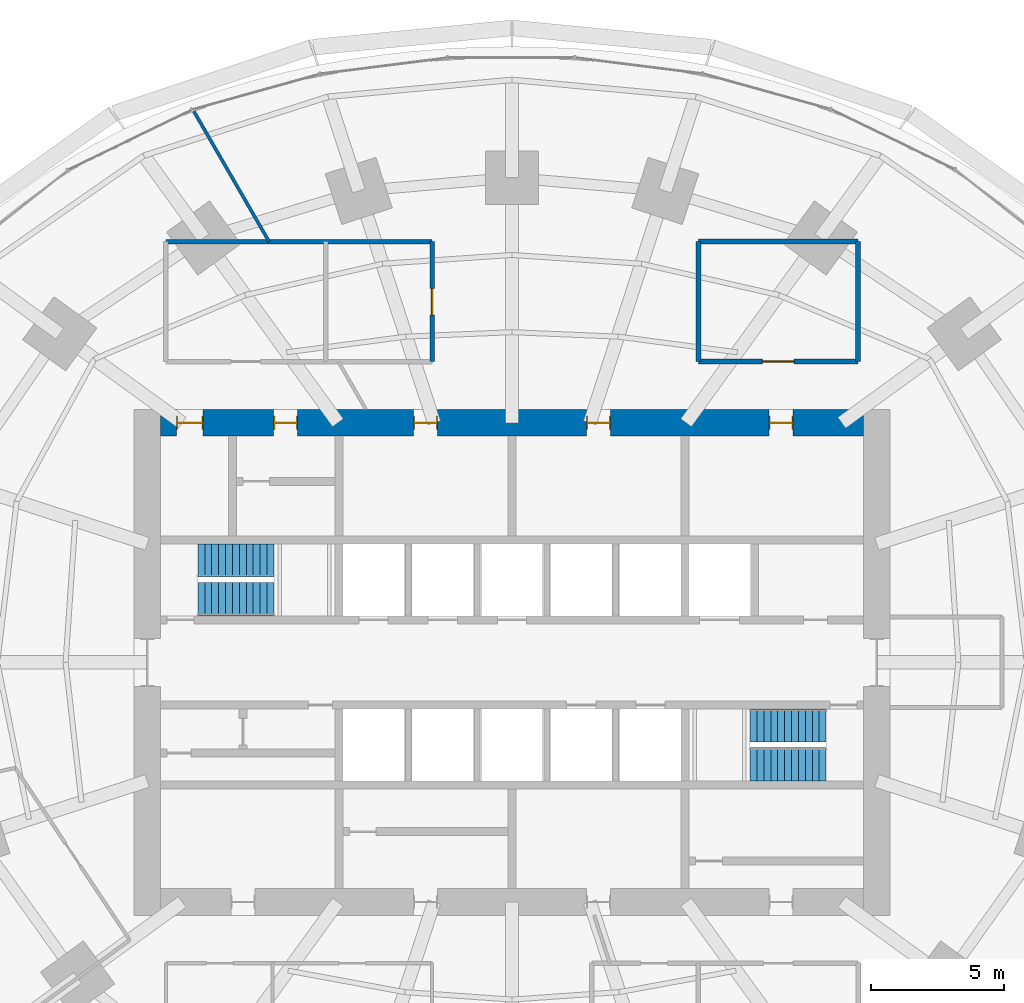
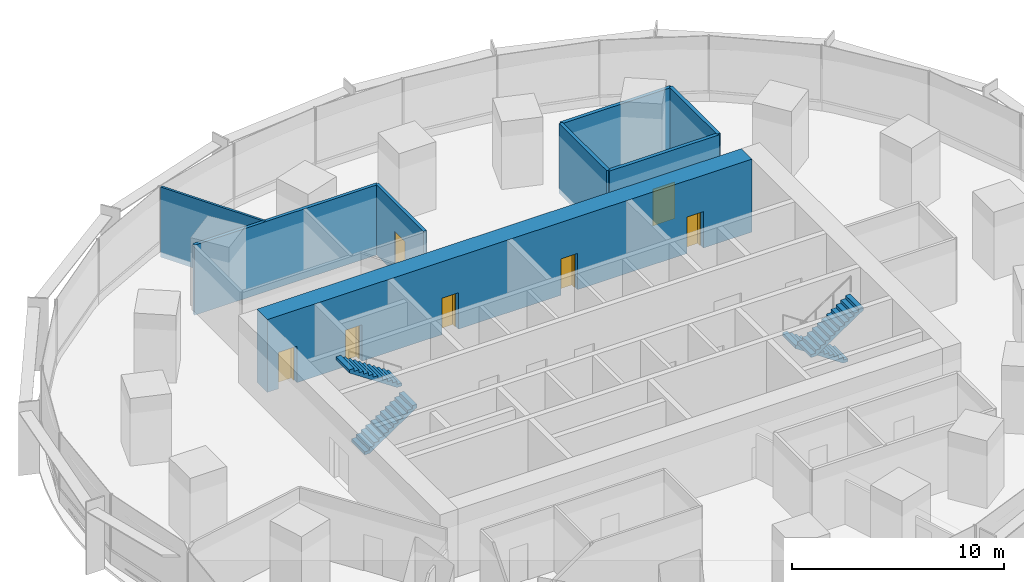
# One storey, part 13 of 15: 8 walls, 7 doors, 4 stair flights, 7 openings, 2 elements without a shape of their own.
"""IFC4 building model written with IfcOpenShell, lengths in metres."""

from ifc_helpers import new_model, si_unit, direction, frame, frame_2d, origin, place, context, subcontext, project, spatial, polyline, rectangle, outline, extrude, material, layer, layer_set, type_object, element, fill, aggregate, save


model = new_model("IFC4")

# Units and contexts
model_context = context("Model", 3, precision=1e-05, world=origin(), true_north=direction((0.0, 1.0)))
body_context = subcontext(model_context, "Body", "Model", "MODEL_VIEW")
ifc_project = project(units=[si_unit("LENGTHUNIT", "METRE"), si_unit("AREAUNIT", "SQUARE_METRE"), si_unit("VOLUMEUNIT", "CUBIC_METRE"), si_unit("PLANEANGLEUNIT", "RADIAN"), si_unit("MASSUNIT", "GRAM", prefix="KILO")], contexts=[model_context])

# Site, building, storey
site_placement = place(None, origin())
site = spatial("IfcSite", under=ifc_project, at=site_placement, CompositionType="ELEMENT")
building_placement = place(site_placement, origin())
building = spatial("IfcBuilding", under=site, at=building_placement, Name="Marramba Exchange Tower", CompositionType="ELEMENT")
storey_placement = place(building_placement, frame((0.0, 0.0, 23.800048828125)))
storey = spatial("IfcBuildingStorey", under=building, at=storey_placement, Name="L05", CompositionType="ELEMENT", Elevation=23.800048828125)

# Wall, opening, door
ifc_material_1 = material(Name="Plasterboard on staggered double steel studs, acoustic insulation", Category="steel")
ifc_layer_1 = layer(ifc_material_1, 0.169921875)
ifc_layer_set_1 = layer_set([ifc_layer_1], Name="Acoustic partition 170")
wall_type_1 = type_object("IfcWallType", Name="Acoustic partition 170", PredefinedType="PARTITIONING", material=ifc_layer_set_1)
wall_1_placement = place(storey_placement, frame((-3.0, 11.300048828125, 0.0), z_axis=(0.0, 0.0, 1.0), x_axis=(0.0, 1.0, 0.0)))
wall_1 = element("IfcWall", 1, at=wall_1_placement, inside=storey, type_object=wall_type_1, Name="Acoustic partition L05 23", PredefinedType="PARTITIONING", context=body_context, shape_type="SweptSolid", body=[
    extrude(rectangle(XDim=4.5, YDim=0.169921875, at=frame_2d((2.25, 0.0))), origin(), (0.0, 0.0, 1.0), 4.0400390625),
])
opening_1_placement = place(wall_1_placement, frame((1.75, 0.0, 0.0)))
opening_1 = element("IfcOpeningElement", 2, at=opening_1_placement, cuts=wall_1, Name="Opening D9", PredefinedType="OPENING", context=body_context, shape_type="SweptSolid", body=[
    extrude(rectangle(XDim=1.0, YDim=2.39990234375, at=frame_2d((0.5, 1.199951171875))), frame((0.0, 0.094970703125, 0.0), z_axis=(0.0, -1.0, 0.0), x_axis=(1.0, 0.0, 0.0)), (0.0, 0.0, 1.0), 0.18994140625),
])
ifc_material_2 = material(Name="Timber door", Category="wood")
door_type_1 = type_object("IfcDoorType", Name="Room door 1000x2400", OperationType="SINGLE_SWING_LEFT", PredefinedType="DOOR", material=ifc_material_2)
door_1_placement = place(opening_1_placement, origin())
door_1 = element("IfcDoor", 3, at=door_1_placement, inside=storey, type_object=door_type_1, Name="D9 Interview Room L05", OperationType="SINGLE_SWING_RIGHT", OverallHeight=2.39990234375, OverallWidth=1.0, PredefinedType="DOOR", context=body_context, shape_type="SweptSolid", body=[
    extrude(rectangle(XDim=1.0, YDim=2.39990234375, at=frame_2d((0.5, 1.199951171875))), frame((0.0, 0.02490234375, 0.0), z_axis=(0.0, -1.0, 0.0), x_axis=(1.0, 0.0, 0.0)), (0.0, 0.0, 1.0), 0.050048828125),
])
fill(opening_1, door_1)

# Wall
wall_2_placement = place(storey_placement, frame((-3.0, 15.800048828125, 0.0), z_axis=(0.0, 0.0, 1.0), x_axis=(-1.0, 0.0, 0.0)))
element("IfcWall", 4, at=wall_2_placement, inside=storey, type_object=wall_type_1, Name="Acoustic partition L05 24", PredefinedType="PARTITIONING", context=body_context, shape_type="SweptSolid", body=[
    extrude(rectangle(XDim=10.0, YDim=0.169921875, at=frame_2d((5.0, 0.0))), origin(), (0.0, 0.0, 1.0), 4.0400390625),
])

# Wall, openings, doors
ifc_material_3 = material(Name="Concrete N50", Category="concrete")
ifc_layer_2 = layer(ifc_material_3, 1.0)
ifc_layer_set_2 = layer_set([ifc_layer_2], Name="Core wall 1000")
wall_type_2 = type_object("IfcWallType", Name="Core wall 1000", PredefinedType="SHEAR", material=ifc_layer_set_2)
wall_3_placement = place(storey_placement, frame((13.199951171875, 9.0, 0.0), z_axis=(0.0, 0.0, 1.0), x_axis=(-1.0, 0.0, 0.0)))
wall_3 = element("IfcWall", 5, at=wall_3_placement, inside=storey, type_object=wall_type_2, Name="Core wall N L05", PredefinedType="SHEAR", context=body_context, shape_type="SweptSolid", body=[
    extrude(rectangle(XDim=26.39990234375, YDim=1.0, at=frame_2d((13.199951171875, 0.0))), origin(), (0.0, 0.0, 1.0), 4.199951171875),
])
opening_2_placement = place(wall_3_placement, frame((2.64990234375, 0.0, 0.0)))
opening_2 = element("IfcOpeningElement", 6, at=opening_2_placement, cuts=wall_3, Name="Opening D5", PredefinedType="OPENING", context=body_context, shape_type="SweptSolid", body=[
    extrude(rectangle(XDim=0.89990234375, YDim=2.10009765625, at=frame_2d((0.449951171875, 1.050048828125))), frame((0.0, 0.510009765625, 0.0), z_axis=(0.0, -1.0, 0.0), x_axis=(1.0, 0.0, 0.0)), (0.0, 0.0, 1.0), 1.02001953125),
])
opening_3_placement = place(wall_3_placement, frame((9.5, 0.0, 0.0)))
opening_3 = element("IfcOpeningElement", 7, at=opening_3_placement, cuts=wall_3, Name="Opening D3", PredefinedType="OPENING", context=body_context, shape_type="SweptSolid", body=[
    extrude(rectangle(XDim=0.89990234375, YDim=2.10009765625, at=frame_2d((0.449951171875, 1.050048828125))), frame((0.0, 0.510009765625, 0.0), z_axis=(0.0, -1.0, 0.0), x_axis=(1.0, 0.0, 0.0)), (0.0, 0.0, 1.0), 1.02001953125),
])
opening_4_placement = place(wall_3_placement, frame((16.0, 0.0, 0.0)))
opening_4 = element("IfcOpeningElement", 8, at=opening_4_placement, cuts=wall_3, Name="Opening D3", PredefinedType="OPENING", context=body_context, shape_type="SweptSolid", body=[
    extrude(rectangle(XDim=0.89990234375, YDim=2.10009765625, at=frame_2d((0.449951171875, 1.050048828125))), frame((0.0, 0.510009765625, 0.0), z_axis=(0.0, -1.0, 0.0), x_axis=(1.0, 0.0, 0.0)), (0.0, 0.0, 1.0), 1.02001953125),
])
opening_5_placement = place(wall_3_placement, frame((21.25, 0.0, 0.0)))
opening_5 = element("IfcOpeningElement", 9, at=opening_5_placement, cuts=wall_3, Name="Opening D5", PredefinedType="OPENING", context=body_context, shape_type="SweptSolid", body=[
    extrude(rectangle(XDim=0.89990234375, YDim=2.10009765625, at=frame_2d((0.449951171875, 1.050048828125))), frame((0.0, 0.510009765625, 0.0), z_axis=(0.0, -1.0, 0.0), x_axis=(1.0, 0.0, 0.0)), (0.0, 0.0, 1.0), 1.02001953125),
])
opening_6_placement = place(wall_3_placement, frame((24.800048828125, 0.0, 0.0)))
opening_6 = element("IfcOpeningElement", 10, at=opening_6_placement, cuts=wall_3, Name="Opening D4", PredefinedType="OPENING", context=body_context, shape_type="SweptSolid", body=[
    extrude(rectangle(XDim=1.0, YDim=2.10009765625, at=frame_2d((0.5, 1.050048828125))), frame((0.0, 0.510009765625, 0.0), z_axis=(0.0, -1.0, 0.0), x_axis=(1.0, 0.0, 0.0)), (0.0, 0.0, 1.0), 1.02001953125),
])
ifc_material_4 = material(Name="Steel-framed door", Category="steel")
door_type_2 = type_object("IfcDoorType", Name="Accessible toilet door 1000x2100", OperationType="SINGLE_SWING_LEFT", PredefinedType="DOOR", material=ifc_material_4)
door_2_placement = place(opening_6_placement, origin())
door_2 = element("IfcDoor", 11, at=door_2_placement, inside=storey, type_object=door_type_2, Name="D4 awc L05", OperationType="SINGLE_SWING_RIGHT", OverallHeight=2.10009765625, OverallWidth=1.0, PredefinedType="DOOR", context=body_context, shape_type="SweptSolid", body=[
    extrude(rectangle(XDim=0.919921875, YDim=2.06005859375, at=frame_2d((0.5, 1.030029296875))), frame((0.0, 0.02490234375, 0.0), z_axis=(0.0, -1.0, 0.0), x_axis=(1.0, 0.0, 0.0)), (0.0, 0.0, 1.0), 0.050048828125),
    extrude(rectangle(XDim=0.04, YDim=2.10009765625, at=frame_2d((0.02001953125, 1.050048828125))), frame((0.0, 0.25, 0.0), z_axis=(0.0, -1.0, 0.0), x_axis=(1.0, 0.0, 0.0)), (0.0, 0.0, 1.0), 0.5),
    extrude(rectangle(XDim=0.04, YDim=2.10009765625, at=frame_2d((0.97998046875, 1.050048828125))), frame((0.0, 0.25, 0.0), z_axis=(0.0, -1.0, 0.0), x_axis=(1.0, 0.0, 0.0)), (0.0, 0.0, 1.0), 0.5),
    extrude(rectangle(XDim=0.919921875, YDim=0.04, at=frame_2d((0.5, 2.080078125))), frame((0.0, 0.25, 0.0), z_axis=(0.0, -1.0, 0.0), x_axis=(1.0, 0.0, 0.0)), (0.0, 0.0, 1.0), 0.5),
])
fill(opening_6, door_2)
door_type_3 = type_object("IfcDoorType", Name="Service door 900x2100", OperationType="SINGLE_SWING_LEFT", PredefinedType="DOOR", material=ifc_material_4)
door_3_placement = place(opening_2_placement, origin())
door_3 = element("IfcDoor", 12, at=door_3_placement, inside=storey, type_object=door_type_3, Name="D5 comms L05", OperationType="SINGLE_SWING_LEFT", OverallHeight=2.10009765625, OverallWidth=0.89990234375, PredefinedType="DOOR", context=body_context, shape_type="SweptSolid", body=[
    extrude(rectangle(XDim=0.81982421875, YDim=2.06005859375, at=frame_2d((0.449951171875, 1.030029296875))), frame((0.0, 0.02490234375, 0.0), z_axis=(0.0, -1.0, 0.0), x_axis=(1.0, 0.0, 0.0)), (0.0, 0.0, 1.0), 0.050048828125),
    extrude(rectangle(XDim=0.04, YDim=2.10009765625, at=frame_2d((0.02001953125, 1.050048828125))), frame((0.0, 0.25, 0.0), z_axis=(0.0, -1.0, 0.0), x_axis=(1.0, 0.0, 0.0)), (0.0, 0.0, 1.0), 0.5),
    extrude(rectangle(XDim=0.04, YDim=2.10009765625, at=frame_2d((0.8798828125, 1.050048828125))), frame((0.0, 0.25, 0.0), z_axis=(0.0, -1.0, 0.0), x_axis=(1.0, 0.0, 0.0)), (0.0, 0.0, 1.0), 0.5),
    extrude(rectangle(XDim=0.81982421875, YDim=0.04, at=frame_2d((0.449951171875, 2.080078125))), frame((0.0, 0.25, 0.0), z_axis=(0.0, -1.0, 0.0), x_axis=(1.0, 0.0, 0.0)), (0.0, 0.0, 1.0), 0.5),
])
fill(opening_2, door_3)
door_4_placement = place(opening_5_placement, origin())
door_4 = element("IfcDoor", 13, at=door_4_placement, inside=storey, type_object=door_type_3, Name="D5 cleaner L05", OperationType="SINGLE_SWING_RIGHT", OverallHeight=2.10009765625, OverallWidth=0.89990234375, PredefinedType="DOOR", context=body_context, shape_type="SweptSolid", body=[
    extrude(rectangle(XDim=0.81982421875, YDim=2.06005859375, at=frame_2d((0.449951171875, 1.030029296875))), frame((0.0, 0.02490234375, 0.0), z_axis=(0.0, -1.0, 0.0), x_axis=(1.0, 0.0, 0.0)), (0.0, 0.0, 1.0), 0.050048828125),
    extrude(rectangle(XDim=0.04, YDim=2.10009765625, at=frame_2d((0.02001953125, 1.050048828125))), frame((0.0, 0.25, 0.0), z_axis=(0.0, -1.0, 0.0), x_axis=(1.0, 0.0, 0.0)), (0.0, 0.0, 1.0), 0.5),
    extrude(rectangle(XDim=0.04, YDim=2.10009765625, at=frame_2d((0.8798828125, 1.050048828125))), frame((0.0, 0.25, 0.0), z_axis=(0.0, -1.0, 0.0), x_axis=(1.0, 0.0, 0.0)), (0.0, 0.0, 1.0), 0.5),
    extrude(rectangle(XDim=0.81982421875, YDim=0.04, at=frame_2d((0.449951171875, 2.080078125))), frame((0.0, 0.25, 0.0), z_axis=(0.0, -1.0, 0.0), x_axis=(1.0, 0.0, 0.0)), (0.0, 0.0, 1.0), 0.5),
])
fill(opening_5, door_4)
door_type_4 = type_object("IfcDoorType", Name="Toilet door 900x2100", OperationType="SINGLE_SWING_LEFT", PredefinedType="DOOR", material=ifc_material_4)
door_5_placement = place(opening_3_placement, origin())
door_5 = element("IfcDoor", 14, at=door_5_placement, inside=storey, type_object=door_type_4, Name="D3 wc-f L05", OperationType="SINGLE_SWING_RIGHT", OverallHeight=2.10009765625, OverallWidth=0.89990234375, PredefinedType="DOOR", context=body_context, shape_type="SweptSolid", body=[
    extrude(rectangle(XDim=0.81982421875, YDim=2.06005859375, at=frame_2d((0.449951171875, 1.030029296875))), frame((0.0, 0.02490234375, 0.0), z_axis=(0.0, -1.0, 0.0), x_axis=(1.0, 0.0, 0.0)), (0.0, 0.0, 1.0), 0.050048828125),
    extrude(rectangle(XDim=0.04, YDim=2.10009765625, at=frame_2d((0.02001953125, 1.050048828125))), frame((0.0, 0.25, 0.0), z_axis=(0.0, -1.0, 0.0), x_axis=(1.0, 0.0, 0.0)), (0.0, 0.0, 1.0), 0.5),
    extrude(rectangle(XDim=0.04, YDim=2.10009765625, at=frame_2d((0.8798828125, 1.050048828125))), frame((0.0, 0.25, 0.0), z_axis=(0.0, -1.0, 0.0), x_axis=(1.0, 0.0, 0.0)), (0.0, 0.0, 1.0), 0.5),
    extrude(rectangle(XDim=0.81982421875, YDim=0.04, at=frame_2d((0.449951171875, 2.080078125))), frame((0.0, 0.25, 0.0), z_axis=(0.0, -1.0, 0.0), x_axis=(1.0, 0.0, 0.0)), (0.0, 0.0, 1.0), 0.5),
])
fill(opening_3, door_5)
door_6_placement = place(opening_4_placement, origin())
door_6 = element("IfcDoor", 15, at=door_6_placement, inside=storey, type_object=door_type_4, Name="D3 wc-m L05", OperationType="SINGLE_SWING_RIGHT", OverallHeight=2.10009765625, OverallWidth=0.89990234375, PredefinedType="DOOR", context=body_context, shape_type="SweptSolid", body=[
    extrude(rectangle(XDim=0.81982421875, YDim=2.06005859375, at=frame_2d((0.449951171875, 1.030029296875))), frame((0.0, 0.02490234375, 0.0), z_axis=(0.0, -1.0, 0.0), x_axis=(1.0, 0.0, 0.0)), (0.0, 0.0, 1.0), 0.050048828125),
    extrude(rectangle(XDim=0.04, YDim=2.10009765625, at=frame_2d((0.02001953125, 1.050048828125))), frame((0.0, 0.25, 0.0), z_axis=(0.0, -1.0, 0.0), x_axis=(1.0, 0.0, 0.0)), (0.0, 0.0, 1.0), 0.5),
    extrude(rectangle(XDim=0.04, YDim=2.10009765625, at=frame_2d((0.8798828125, 1.050048828125))), frame((0.0, 0.25, 0.0), z_axis=(0.0, -1.0, 0.0), x_axis=(1.0, 0.0, 0.0)), (0.0, 0.0, 1.0), 0.5),
    extrude(rectangle(XDim=0.81982421875, YDim=0.04, at=frame_2d((0.449951171875, 2.080078125))), frame((0.0, 0.25, 0.0), z_axis=(0.0, -1.0, 0.0), x_axis=(1.0, 0.0, 0.0)), (0.0, 0.0, 1.0), 0.5),
])
fill(opening_4, door_6)

# Wall
ifc_material_5 = material(Name="Core-filled concrete blockwork, rendered", Category="masonry")
ifc_layer_3 = layer(ifc_material_5, 0.18994140625)
ifc_layer_set_3 = layer_set([ifc_layer_3], Name="Equipment room wall 190")
wall_type_3 = type_object("IfcWallType", Name="Equipment room wall 190", PredefinedType="SOLIDWALL", material=ifc_layer_set_3)
wall_4_placement = place(storey_placement, frame((13.0, 15.800048828125, 0.0), z_axis=(0.0, 0.0, 1.0), x_axis=(0.0, -1.0, 0.0)))
element("IfcWall", 16, at=wall_4_placement, inside=storey, type_object=wall_type_3, Name="Equipment room wall L05 19", PredefinedType="SOLIDWALL", context=body_context, shape_type="SweptSolid", body=[
    extrude(rectangle(XDim=4.5, YDim=0.18994140625, at=frame_2d((2.25, 0.0))), origin(), (0.0, 0.0, 1.0), 4.0400390625),
])

# Wall, opening, door
wall_5_placement = place(storey_placement, frame((13.0, 11.300048828125, 0.0), z_axis=(0.0, 0.0, 1.0), x_axis=(-1.0, 0.0, 0.0)))
wall_5 = element("IfcWall", 17, at=wall_5_placement, inside=storey, type_object=wall_type_3, Name="Equipment room wall L05 20", PredefinedType="SOLIDWALL", context=body_context, shape_type="SweptSolid", body=[
    extrude(rectangle(XDim=6.0, YDim=0.18994140625, at=frame_2d((3.0, 0.0))), origin(), (0.0, 0.0, 1.0), 4.0400390625),
])
opening_7_placement = place(wall_5_placement, frame((2.39990234375, 0.0, 0.0)))
opening_7 = element("IfcOpeningElement", 18, at=opening_7_placement, cuts=wall_5, Name="Opening D16", PredefinedType="OPENING", context=body_context, shape_type="SweptSolid", body=[
    extrude(rectangle(XDim=1.199951171875, YDim=2.10009765625, at=frame_2d((0.60009765625, 1.050048828125))), frame((0.0, 0.10498046875, 0.0), z_axis=(0.0, -1.0, 0.0), x_axis=(1.0, 0.0, 0.0)), (0.0, 0.0, 1.0), 0.2099609375),
])
door_type_5 = type_object("IfcDoorType", Name="Equipment room door 1200x2100", OperationType="SINGLE_SWING_LEFT", PredefinedType="DOOR", material=ifc_material_4)
door_7_placement = place(opening_7_placement, frame((1.199951171875, 0.0, 0.0), z_axis=(0.0, 0.0, 1.0), x_axis=(-1.0, 0.0, 0.0)))
door_7 = element("IfcDoor", 19, at=door_7_placement, inside=storey, type_object=door_type_5, Name="D16 Data Room L05", OperationType="SINGLE_SWING_RIGHT", OverallHeight=2.10009765625, OverallWidth=1.199951171875, PredefinedType="DOOR", context=body_context, shape_type="SweptSolid", body=[
    extrude(rectangle(XDim=1.199951171875, YDim=2.10009765625, at=frame_2d((0.599853515625, 1.050048828125))), frame((0.0, 0.025146484375, 0.0), z_axis=(0.0, -1.0, 0.0), x_axis=(1.0, 0.0, 0.0)), (0.0, 0.0, 1.0), 0.050048828125),
])
fill(opening_7, door_7)

# Walls
wall_6_placement = place(storey_placement, frame((7.0, 15.800048828125, 0.0), z_axis=(0.0, 0.0, 1.0), x_axis=(1.0, 0.0, 0.0)))
element("IfcWall", 20, at=wall_6_placement, inside=storey, type_object=wall_type_3, Name="Equipment room wall L05 21", PredefinedType="SOLIDWALL", context=body_context, shape_type="SweptSolid", body=[
    extrude(rectangle(XDim=6.0, YDim=0.18994140625, at=frame_2d((3.0, 0.0))), origin(), (0.0, 0.0, 1.0), 4.0400390625),
])
wall_7_placement = place(storey_placement, frame((7.0, 11.300048828125, 0.0), z_axis=(0.0, 0.0, 1.0), x_axis=(0.0, 1.0, 0.0)))
element("IfcWall", 21, at=wall_7_placement, inside=storey, type_object=wall_type_3, Name="Equipment room wall L05 22", PredefinedType="SOLIDWALL", context=body_context, shape_type="SweptSolid", body=[
    extrude(rectangle(XDim=4.5, YDim=0.18994140625, at=frame_2d((2.25, 0.0))), origin(), (0.0, 0.0, 1.0), 4.0400390625),
])
ifc_material_6 = material(Name="Plasterboard on steel studs", Category="steel")
ifc_layer_4 = layer(ifc_material_6, 0.1201171875)
ifc_layer_set_4 = layer_set([ifc_layer_4], Name="Partition 120")
wall_type_4 = type_object("IfcWallType", Name="Partition 120", PredefinedType="PARTITIONING", material=ifc_layer_set_4)
wall_8_placement = place(storey_placement, frame((-9.1220703125, 15.800048828125, 0.0), z_axis=(0.0, 0.0, 1.0), x_axis=(-0.500002773681, 0.866023802393, 0.0)))
element("IfcWall", 22, at=wall_8_placement, inside=storey, type_object=wall_type_4, Name="Partition L05 27", PredefinedType="PARTITIONING", context=body_context, shape_type="SweptSolid", body=[
    extrude(rectangle(XDim=5.654296875, YDim=0.1201171875, at=frame_2d((2.8271484375, 0.0))), origin(), (0.0, 0.0, 1.0), 4.0400390625),
])

# Stair, stair flights
ifc_material_7 = material(Name="Concrete N40 (40 MPa)", Category="concrete")
stair_type_1 = type_object("IfcStairType", Name="Exit stair ST1 4200 x 1250", PredefinedType="HALF_TURN_STAIR", material=ifc_material_7)
stair_1_placement = place(storey_placement, origin())
stair_1 = element("IfcStair", 23, at=stair_1_placement, inside=storey, type_object=stair_type_1, Name="Exit stair ST1 L05", PredefinedType="HALF_TURN_STAIR")
stair_flight_type_1 = type_object("IfcStairFlightType", Name="ST1 stair flight 1750 riser 1250 wide", PredefinedType="STRAIGHT", material=ifc_material_7)
stair_flight_1_placement = place(storey_placement, frame((-11.800048828125, 2.375, 0.0), z_axis=(0.0, 0.0, 1.0), x_axis=(1.0, 0.0, 0.0)))
stair_flight_1 = element("IfcStairFlight", 24, at=stair_flight_1_placement, type_object=stair_flight_type_1, Name="ST1 flight 1", NumberOfRisers=12, NumberOfTreads=11, PredefinedType="STRAIGHT", RiserHeight=0.175, TreadLength=0.26, context=body_context, shape_type="SweptSolid", body=[
    extrude(outline(polyline([(0.0, 0.0), (0.0, 0.175048828125), (0.260009765625, 0.175048828125), (0.260009765625, 0.35009765625), (0.52001953125, 0.35009765625), (0.52001953125, 0.52490234375), (0.780029296875, 0.52490234375), (0.780029296875, 0.699951171875), (1.0400390625, 0.699951171875), (1.0400390625, 0.875), (1.300048828125, 0.875), (1.300048828125, 1.050048828125), (1.56005859375, 1.050048828125), (1.56005859375, 1.22509765625), (1.820068359375, 1.22509765625), (1.820068359375, 1.39990234375), (2.080078125, 1.39990234375), (2.080078125, 1.574951171875), (2.340087890625, 1.574951171875), (2.340087890625, 1.75), (2.60009765625, 1.75), (2.60009765625, 1.925048828125), (2.860107421875, 1.925048828125), (2.860107421875, 2.10009765625), (2.860107421875, 1.744384765625), (0.2685546875, 0.0), (0.0, 0.0)])), frame((0.0, 0.625, 0.0), z_axis=(0.0, -1.0, 0.0), x_axis=(1.0, 0.0, 0.0)), (0.0, 0.0, 1.0), 1.25),
])
stair_flight_2_placement = place(storey_placement, frame((-8.93994140625, 3.824951171875, 2.099853515625), z_axis=(0.0, 0.0, 1.0), x_axis=(-1.0, 0.0, 0.0)))
stair_flight_2 = element("IfcStairFlight", 25, at=stair_flight_2_placement, type_object=stair_flight_type_1, Name="ST1 flight 2", NumberOfRisers=12, NumberOfTreads=11, PredefinedType="STRAIGHT", RiserHeight=0.175, TreadLength=0.26, context=body_context, shape_type="SweptSolid", body=[
    extrude(outline(polyline([(0.0, 0.0), (0.0, 0.175048828125), (0.260009765625, 0.175048828125), (0.260009765625, 0.35009765625), (0.52001953125, 0.35009765625), (0.52001953125, 0.52490234375), (0.780029296875, 0.52490234375), (0.780029296875, 0.699951171875), (1.0400390625, 0.699951171875), (1.0400390625, 0.875), (1.300048828125, 0.875), (1.300048828125, 1.050048828125), (1.56005859375, 1.050048828125), (1.56005859375, 1.22509765625), (1.820068359375, 1.22509765625), (1.820068359375, 1.39990234375), (2.080078125, 1.39990234375), (2.080078125, 1.574951171875), (2.340087890625, 1.574951171875), (2.340087890625, 1.75), (2.60009765625, 1.75), (2.60009765625, 1.925048828125), (2.860107421875, 1.925048828125), (2.860107421875, 2.10009765625), (2.860107421875, 1.744384765625), (0.2685546875, 0.0), (0.0, 0.0)])), frame((0.0, 0.625, 0.0), z_axis=(0.0, -1.0, 0.0), x_axis=(1.0, 0.0, 0.0)), (0.0, 0.0, 1.0), 1.25),
])
aggregate(stair_1, [stair_flight_1, stair_flight_2])

stair_type_2 = type_object("IfcStairType", Name="Exit stair ST2 4200 x 1250", PredefinedType="HALF_TURN_STAIR", material=ifc_material_7)
stair_2_placement = place(storey_placement, origin())
stair_2 = element("IfcStair", 26, at=stair_2_placement, inside=storey, type_object=stair_type_2, Name="Exit stair ST2 L05", PredefinedType="HALF_TURN_STAIR")
stair_flight_type_2 = type_object("IfcStairFlightType", Name="ST2 stair flight 1750 riser 1250 wide", PredefinedType="STRAIGHT", material=ifc_material_7)
stair_flight_3_placement = place(storey_placement, frame((11.800048828125, -2.375, 0.0), z_axis=(0.0, 0.0, 1.0), x_axis=(-1.0, 0.0, 0.0)))
stair_flight_3 = element("IfcStairFlight", 27, at=stair_flight_3_placement, type_object=stair_flight_type_2, Name="ST2 flight 1", NumberOfRisers=12, NumberOfTreads=11, PredefinedType="STRAIGHT", RiserHeight=0.175, TreadLength=0.26, context=body_context, shape_type="SweptSolid", body=[
    extrude(outline(polyline([(0.0, 0.0), (0.0, 0.175048828125), (0.260009765625, 0.175048828125), (0.260009765625, 0.35009765625), (0.52001953125, 0.35009765625), (0.52001953125, 0.52490234375), (0.780029296875, 0.52490234375), (0.780029296875, 0.699951171875), (1.0400390625, 0.699951171875), (1.0400390625, 0.875), (1.300048828125, 0.875), (1.300048828125, 1.050048828125), (1.56005859375, 1.050048828125), (1.56005859375, 1.22509765625), (1.820068359375, 1.22509765625), (1.820068359375, 1.39990234375), (2.080078125, 1.39990234375), (2.080078125, 1.574951171875), (2.340087890625, 1.574951171875), (2.340087890625, 1.75), (2.60009765625, 1.75), (2.60009765625, 1.925048828125), (2.860107421875, 1.925048828125), (2.860107421875, 2.10009765625), (2.860107421875, 1.744384765625), (0.2685546875, 0.0), (0.0, 0.0)])), frame((0.0, 0.625, 0.0), z_axis=(0.0, -1.0, 0.0), x_axis=(1.0, 0.0, 0.0)), (0.0, 0.0, 1.0), 1.25),
])
stair_flight_4_placement = place(storey_placement, frame((8.93994140625, -3.824951171875, 2.099853515625), z_axis=(0.0, 0.0, 1.0), x_axis=(1.0, 0.0, 0.0)))
stair_flight_4 = element("IfcStairFlight", 28, at=stair_flight_4_placement, type_object=stair_flight_type_2, Name="ST2 flight 2", NumberOfRisers=12, NumberOfTreads=11, PredefinedType="STRAIGHT", RiserHeight=0.175, TreadLength=0.26, context=body_context, shape_type="SweptSolid", body=[
    extrude(outline(polyline([(0.0, 0.0), (0.0, 0.175048828125), (0.260009765625, 0.175048828125), (0.260009765625, 0.35009765625), (0.52001953125, 0.35009765625), (0.52001953125, 0.52490234375), (0.780029296875, 0.52490234375), (0.780029296875, 0.699951171875), (1.0400390625, 0.699951171875), (1.0400390625, 0.875), (1.300048828125, 0.875), (1.300048828125, 1.050048828125), (1.56005859375, 1.050048828125), (1.56005859375, 1.22509765625), (1.820068359375, 1.22509765625), (1.820068359375, 1.39990234375), (2.080078125, 1.39990234375), (2.080078125, 1.574951171875), (2.340087890625, 1.574951171875), (2.340087890625, 1.75), (2.60009765625, 1.75), (2.60009765625, 1.925048828125), (2.860107421875, 1.925048828125), (2.860107421875, 2.10009765625), (2.860107421875, 1.744384765625), (0.2685546875, 0.0), (0.0, 0.0)])), frame((0.0, 0.625, 0.0), z_axis=(0.0, -1.0, 0.0), x_axis=(1.0, 0.0, 0.0)), (0.0, 0.0, 1.0), 1.25),
])
aggregate(stair_2, [stair_flight_3, stair_flight_4])

save(model, "model.ifc")
